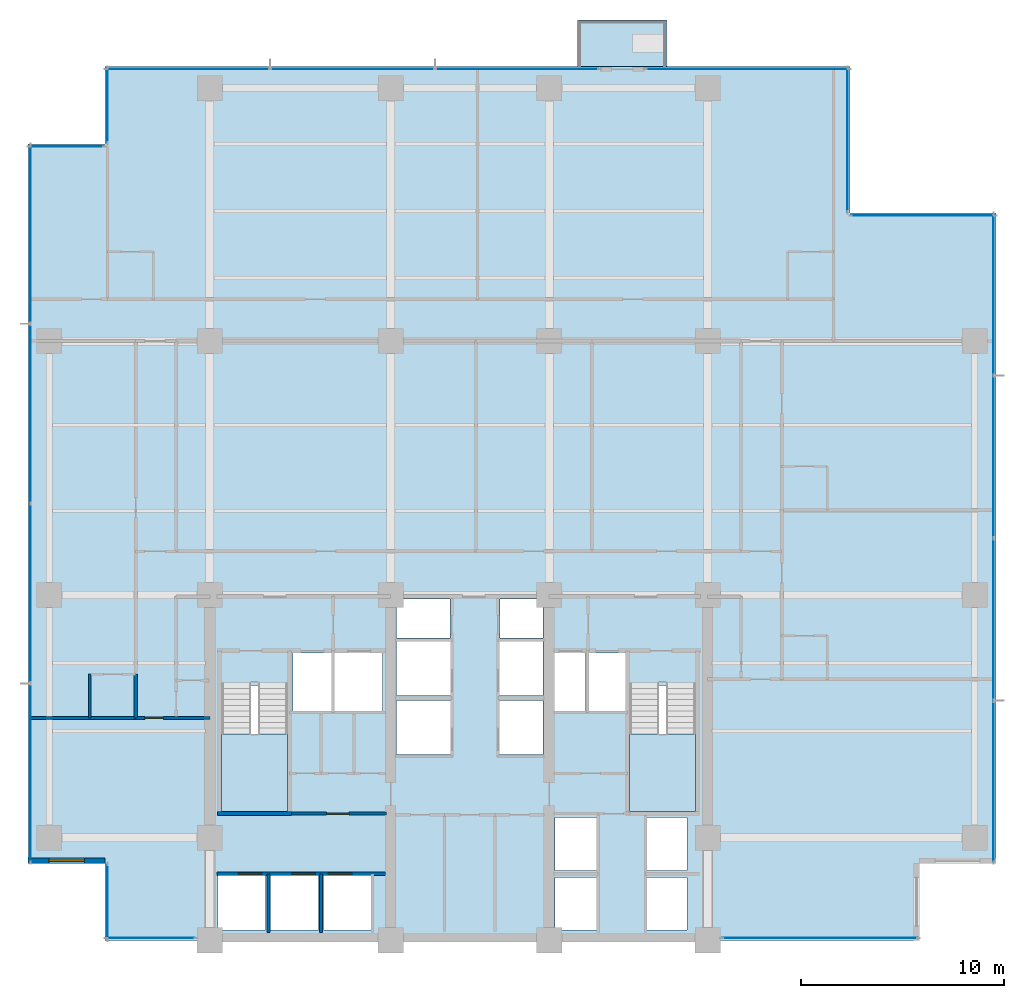
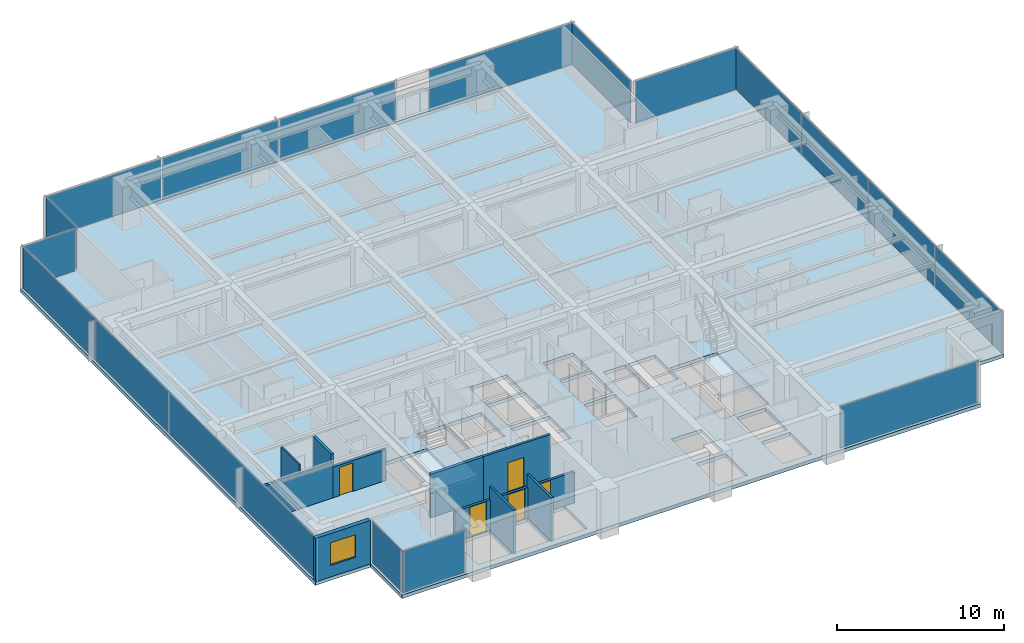
# One storey, part 7 of 16: 19 plates, 10 walls, 5 doors, 4 slabs, 1 window, 6 openings, 13 elements without a shape of their own.
"""IFC4 building model written with IfcOpenShell, lengths in metres."""

from ifc_helpers import new_model, si_unit, direction, frame, frame_2d, origin, origin_2d, place, context, subcontext, project, spatial, polyline, rectangle, outline, extrude, material, layer, layer_set, type_object, element, fill, aggregate, save


model = new_model("IFC4")

# Units and contexts
model_context = context("Model", 3, precision=1e-05, world=origin(), true_north=direction((0.0, 1.0)))
body_context = subcontext(model_context, "Body", "Model", "MODEL_VIEW")
ifc_project = project(units=[si_unit("LENGTHUNIT", "METRE"), si_unit("AREAUNIT", "SQUARE_METRE"), si_unit("VOLUMEUNIT", "CUBIC_METRE"), si_unit("PLANEANGLEUNIT", "RADIAN"), si_unit("MASSUNIT", "GRAM", prefix="KILO")], contexts=[model_context])

# Site, building, storey
site_placement = place(None, origin())
site = spatial("IfcSite", under=ifc_project, at=site_placement, CompositionType="ELEMENT")
building_placement = place(site_placement, origin())
building = spatial("IfcBuilding", under=site, at=building_placement, Name="Qalmaran Belvedere Hotel", CompositionType="ELEMENT")
storey_placement = place(building_placement, frame((0.0, 0.0, 126.699951171875)))
storey = spatial("IfcBuildingStorey", under=building, at=storey_placement, Name="L32", CompositionType="ELEMENT", Elevation=126.699951171875)

# Curtain wall, plate
ifc_material_1 = material(Name="Anodised Bronze Aluminium", Category="aluminium")
ifc_layer_1 = layer(ifc_material_1, 0.199951171875, Name="Anodised Bronze Aluminium")
ifc_layer_set_1 = layer_set([ifc_layer_1], Name="Anodised Bronze Aluminium")
curtain_wall_type = type_object("IfcCurtainWallType", Name="CW3-TOWER-LOWMID", PredefinedType="NOTDEFINED", material=ifc_layer_set_1)
curtain_wall_1_placement = place(storey_placement, origin())
curtain_wall_1 = element("IfcCurtainWall", 1, at=curtain_wall_1_placement, inside=storey, type_object=curtain_wall_type, Name="L32 Curtain Wall CW3", PredefinedType="NOTDEFINED")
ifc_material_2 = material(Name="Solar-Control Double Glazing", Category="glass")
ifc_layer_2 = layer(ifc_material_2, 0.028076171875, Name="Solar-Control Double Glazing")
ifc_layer_set_2 = layer_set([ifc_layer_2], Name="Solar-Control Double Glazing")
plate_type = type_object("IfcPlateType", Name="CWP-VISION-28", PredefinedType="CURTAIN_PANEL", material=ifc_layer_set_2)
plate_1_placement = place(storey_placement, frame((17.392578125, 3.6201171875, 0.06494140625), z_axis=(0.0, 0.0, 1.0), x_axis=(1.0, 0.0, 0.0)))
plate_1 = element("IfcPlate", 2, at=plate_1_placement, type_object=plate_type, Name="CW3 panel 1.1", PredefinedType="CURTAIN_PANEL", context=body_context, shape_type="SweptSolid", body=[
    extrude(rectangle(XDim=4.344970703125, YDim=0.028076171875, at=origin_2d()), origin(), (0.0, 0.0, 1.0), 3.050048828125),
])
aggregate(curtain_wall_1, [plate_1])

curtain_wall_2_placement = place(storey_placement, origin())
curtain_wall_2 = element("IfcCurtainWall", 3, at=curtain_wall_2_placement, inside=storey, type_object=curtain_wall_type, Name="L32 Curtain Wall CW3", PredefinedType="NOTDEFINED")
plate_2_placement = place(storey_placement, frame((50.33251953125, 3.6201171875, 0.06494140625), z_axis=(0.0, 0.0, 1.0), x_axis=(1.0, 0.0, 0.0)))
plate_2 = element("IfcPlate", 4, at=plate_2_placement, type_object=plate_type, Name="CW3 panel 1.1", PredefinedType="CURTAIN_PANEL", context=body_context, shape_type="SweptSolid", body=[
    extrude(rectangle(XDim=9.594970703125, YDim=0.028076171875, at=origin_2d()), origin(), (0.0, 0.0, 1.0), 3.050048828125),
])
aggregate(curtain_wall_2, [plate_2])

# Curtain wall, plates
curtain_wall_3_placement = place(storey_placement, origin())
curtain_wall_3 = element("IfcCurtainWall", 5, at=curtain_wall_3_placement, inside=storey, type_object=curtain_wall_type, Name="L32 Curtain Wall CW3", PredefinedType="NOTDEFINED")
plate_3_placement = place(storey_placement, frame((58.8798828125, 11.3173828125, 0.06494140625), z_axis=(0.0, 0.0, 1.0), x_axis=(0.0, 1.0, 0.0)))
plate_3 = element("IfcPlate", 6, at=plate_3_placement, type_object=plate_type, Name="CW3 panel 1.1", PredefinedType="CURTAIN_PANEL", context=body_context, shape_type="SweptSolid", body=[
    extrude(rectangle(XDim=7.89501953125, YDim=0.028076171875, at=origin_2d()), origin(), (0.0, 0.0, 1.0), 3.050048828125),
])
plate_4_placement = place(storey_placement, frame((58.8798828125, 19.300048828125, 0.06494140625), z_axis=(0.0, 0.0, 1.0), x_axis=(0.0, 1.0, 0.0)))
plate_4 = element("IfcPlate", 7, at=plate_4_placement, type_object=plate_type, Name="CW3 panel 2.1", PredefinedType="CURTAIN_PANEL", context=body_context, shape_type="SweptSolid", body=[
    extrude(rectangle(XDim=7.929931640625, YDim=0.028076171875, at=origin_2d()), origin(), (0.0, 0.0, 1.0), 3.050048828125),
])
plate_5_placement = place(storey_placement, frame((58.8798828125, 27.300048828125, 0.06494140625), z_axis=(0.0, 0.0, 1.0), x_axis=(0.0, 1.0, 0.0)))
plate_5 = element("IfcPlate", 8, at=plate_5_placement, type_object=plate_type, Name="CW3 panel 3.1", PredefinedType="CURTAIN_PANEL", context=body_context, shape_type="SweptSolid", body=[
    extrude(rectangle(XDim=7.929931640625, YDim=0.028076171875, at=origin_2d()), origin(), (0.0, 0.0, 1.0), 3.050048828125),
])
plate_6_placement = place(storey_placement, frame((58.8798828125, 35.282470703125, 0.06494140625), z_axis=(0.0, 0.0, 1.0), x_axis=(0.0, 1.0, 0.0)))
plate_6 = element("IfcPlate", 9, at=plate_6_placement, type_object=plate_type, Name="CW3 panel 4.1", PredefinedType="CURTAIN_PANEL", context=body_context, shape_type="SweptSolid", body=[
    extrude(rectangle(XDim=7.89501953125, YDim=0.028076171875, at=origin_2d()), origin(), (0.0, 0.0, 1.0), 3.050048828125),
])
aggregate(curtain_wall_3, [plate_3, plate_4, plate_5, plate_6])

# Curtain wall, plate
curtain_wall_4_placement = place(storey_placement, origin())
curtain_wall_4 = element("IfcCurtainWall", 10, at=curtain_wall_4_placement, inside=storey, type_object=curtain_wall_type, Name="L32 Curtain Wall CW3", PredefinedType="NOTDEFINED")
plate_7_placement = place(storey_placement, frame((55.39990234375, 39.179931640625, 0.06494140625), z_axis=(0.0, 0.0, 1.0), x_axis=(-1.0, 0.0, 0.0)))
plate_7 = element("IfcPlate", 11, at=plate_7_placement, type_object=plate_type, Name="CW3 panel 1.1", PredefinedType="CURTAIN_PANEL", context=body_context, shape_type="SweptSolid", body=[
    extrude(rectangle(XDim=7.06005859375, YDim=0.028076171875, at=origin_2d()), origin(), (0.0, 0.0, 1.0), 3.050048828125),
])
aggregate(curtain_wall_4, [plate_7])

curtain_wall_5_placement = place(storey_placement, origin())
curtain_wall_5 = element("IfcCurtainWall", 12, at=curtain_wall_5_placement, inside=storey, type_object=curtain_wall_type, Name="L32 Curtain Wall CW3", PredefinedType="NOTDEFINED")
plate_8_placement = place(storey_placement, frame((51.679931640625, 42.89990234375, 0.06494140625), z_axis=(0.0, 0.0, 1.0), x_axis=(0.0, 1.0, 0.0)))
plate_8 = element("IfcPlate", 13, at=plate_8_placement, type_object=plate_type, Name="CW3 panel 1.1", PredefinedType="CURTAIN_PANEL", context=body_context, shape_type="SweptSolid", body=[
    extrude(rectangle(XDim=7.06005859375, YDim=0.028076171875, at=origin_2d()), origin(), (0.0, 0.0, 1.0), 3.050048828125),
])
aggregate(curtain_wall_5, [plate_8])

# Curtain wall, plates
curtain_wall_6_placement = place(storey_placement, origin())
curtain_wall_6 = element("IfcCurtainWall", 14, at=curtain_wall_6_placement, inside=storey, type_object=curtain_wall_type, Name="L32 Curtain Wall CW3", PredefinedType="NOTDEFINED")
plate_9_placement = place(storey_placement, frame((35.424072265625, 46.3798828125, 0.06494140625), z_axis=(0.0, 0.0, 1.0), x_axis=(-1.0, 0.0, 0.0)))
plate_9 = element("IfcPlate", 15, at=plate_9_placement, type_object=plate_type, Name="CW3 panel 1.1", PredefinedType="CURTAIN_PANEL", context=body_context, shape_type="SweptSolid", body=[
    extrude(rectangle(XDim=8.01171875, YDim=0.028076171875, at=origin_2d()), origin(), (0.0, 0.0, 1.0), 3.050048828125),
])
plate_10_placement = place(storey_placement, frame((27.324951171875, 46.3798828125, 0.06494140625), z_axis=(0.0, 0.0, 1.0), x_axis=(-1.0, 0.0, 0.0)))
plate_10 = element("IfcPlate", 16, at=plate_10_placement, type_object=plate_type, Name="CW3 panel 2.1", PredefinedType="CURTAIN_PANEL", context=body_context, shape_type="SweptSolid", body=[
    extrude(rectangle(XDim=8.046630859375, YDim=0.028076171875, at=origin_2d()), origin(), (0.0, 0.0, 1.0), 3.050048828125),
])
plate_11_placement = place(storey_placement, frame((19.225830078125, 46.3798828125, 0.06494140625), z_axis=(0.0, 0.0, 1.0), x_axis=(-1.0, 0.0, 0.0)))
plate_11 = element("IfcPlate", 17, at=plate_11_placement, type_object=plate_type, Name="CW3 panel 3.1", PredefinedType="CURTAIN_PANEL", context=body_context, shape_type="SweptSolid", body=[
    extrude(rectangle(XDim=8.01171875, YDim=0.028076171875, at=origin_2d()), origin(), (0.0, 0.0, 1.0), 3.050048828125),
])
aggregate(curtain_wall_6, [plate_9, plate_10, plate_11])

# Curtain wall, plate
curtain_wall_7_placement = place(storey_placement, origin())
curtain_wall_7 = element("IfcCurtainWall", 18, at=curtain_wall_7_placement, inside=storey, type_object=curtain_wall_type, Name="L32 Curtain Wall CW3", PredefinedType="NOTDEFINED")
plate_12_placement = place(storey_placement, frame((46.75, 46.3798828125, 0.06494140625), z_axis=(0.0, 0.0, 1.0), x_axis=(-1.0, 0.0, 0.0)))
plate_12 = element("IfcPlate", 19, at=plate_12_placement, type_object=plate_type, Name="CW3 panel 1.1", PredefinedType="CURTAIN_PANEL", context=body_context, shape_type="SweptSolid", body=[
    extrude(rectangle(XDim=9.9599609375, YDim=0.028076171875, at=origin_2d()), origin(), (0.0, 0.0, 1.0), 3.050048828125),
])
aggregate(curtain_wall_7, [plate_12])

curtain_wall_8_placement = place(storey_placement, origin())
curtain_wall_8 = element("IfcCurtainWall", 20, at=curtain_wall_8_placement, inside=storey, type_object=curtain_wall_type, Name="L32 Curtain Wall CW3", PredefinedType="NOTDEFINED")
plate_13_placement = place(storey_placement, frame((15.27001953125, 44.60009765625, 0.06494140625), z_axis=(0.0, 0.0, 1.0), x_axis=(0.0, -1.0, 0.0)))
plate_13 = element("IfcPlate", 21, at=plate_13_placement, type_object=plate_type, Name="CW3 panel 1.1", PredefinedType="CURTAIN_PANEL", context=body_context, shape_type="SweptSolid", body=[
    extrude(rectangle(XDim=3.659912109375, YDim=0.028076171875, at=origin_2d()), origin(), (0.0, 0.0, 1.0), 3.050048828125),
])
aggregate(curtain_wall_8, [plate_13])

curtain_wall_9_placement = place(storey_placement, origin())
curtain_wall_9 = element("IfcCurtainWall", 22, at=curtain_wall_9_placement, inside=storey, type_object=curtain_wall_type, Name="L32 Curtain Wall CW3", PredefinedType="NOTDEFINED")
plate_14_placement = place(storey_placement, frame((13.25, 42.580078125, 0.06494140625), z_axis=(0.0, 0.0, 1.0), x_axis=(-1.0, 0.0, 0.0)))
plate_14 = element("IfcPlate", 23, at=plate_14_placement, type_object=plate_type, Name="CW3 panel 1.1", PredefinedType="CURTAIN_PANEL", context=body_context, shape_type="SweptSolid", body=[
    extrude(rectangle(XDim=3.659912109375, YDim=0.028076171875, at=origin_2d()), origin(), (0.0, 0.0, 1.0), 3.050048828125),
])
aggregate(curtain_wall_9, [plate_14])

# Curtain wall, plates
curtain_wall_10_placement = place(storey_placement, origin())
curtain_wall_10 = element("IfcCurtainWall", 24, at=curtain_wall_10_placement, inside=storey, type_object=curtain_wall_type, Name="L32 Curtain Wall CW3", PredefinedType="NOTDEFINED")
plate_15_placement = place(storey_placement, frame((11.469970703125, 38.257568359375, 0.06494140625), z_axis=(0.0, 0.0, 1.0), x_axis=(0.0, -1.0, 0.0)))
plate_15 = element("IfcPlate", 25, at=plate_15_placement, type_object=plate_type, Name="CW3 panel 1.1", PredefinedType="CURTAIN_PANEL", context=body_context, shape_type="SweptSolid", body=[
    extrude(rectangle(XDim=8.7451171875, YDim=0.028076171875, at=origin_2d()), origin(), (0.0, 0.0, 1.0), 3.050048828125),
])
plate_16_placement = place(storey_placement, frame((11.469970703125, 29.425048828125, 0.06494140625), z_axis=(0.0, 0.0, 1.0), x_axis=(0.0, -1.0, 0.0)))
plate_16 = element("IfcPlate", 26, at=plate_16_placement, type_object=plate_type, Name="CW3 panel 2.1", PredefinedType="CURTAIN_PANEL", context=body_context, shape_type="SweptSolid", body=[
    extrude(rectangle(XDim=8.780029296875, YDim=0.028076171875, at=origin_2d()), origin(), (0.0, 0.0, 1.0), 3.050048828125),
])
plate_17_placement = place(storey_placement, frame((11.469970703125, 20.574951171875, 0.06494140625), z_axis=(0.0, 0.0, 1.0), x_axis=(0.0, -1.0, 0.0)))
plate_17 = element("IfcPlate", 27, at=plate_17_placement, type_object=plate_type, Name="CW3 panel 3.1", PredefinedType="CURTAIN_PANEL", context=body_context, shape_type="SweptSolid", body=[
    extrude(rectangle(XDim=8.780029296875, YDim=0.028076171875, at=origin_2d()), origin(), (0.0, 0.0, 1.0), 3.050048828125),
])
plate_18_placement = place(storey_placement, frame((11.469970703125, 11.742431640625, 0.06494140625), z_axis=(0.0, 0.0, 1.0), x_axis=(0.0, -1.0, 0.0)))
plate_18 = element("IfcPlate", 28, at=plate_18_placement, type_object=plate_type, Name="CW3 panel 4.1", PredefinedType="CURTAIN_PANEL", context=body_context, shape_type="SweptSolid", body=[
    extrude(rectangle(XDim=8.7451171875, YDim=0.028076171875, at=origin_2d()), origin(), (0.0, 0.0, 1.0), 3.050048828125),
])
aggregate(curtain_wall_10, [plate_15, plate_16, plate_17, plate_18])

# Curtain wall, plate
curtain_wall_11_placement = place(storey_placement, origin())
curtain_wall_11 = element("IfcCurtainWall", 29, at=curtain_wall_11_placement, inside=storey, type_object=curtain_wall_type, Name="L32 Curtain Wall CW3", PredefinedType="NOTDEFINED")
plate_19_placement = place(storey_placement, frame((15.27001953125, 5.39990234375, 0.06494140625), z_axis=(0.0, 0.0, 1.0), x_axis=(0.0, -1.0, 0.0)))
plate_19 = element("IfcPlate", 30, at=plate_19_placement, type_object=plate_type, Name="CW3 panel 1.1", PredefinedType="CURTAIN_PANEL", context=body_context, shape_type="SweptSolid", body=[
    extrude(rectangle(XDim=3.659912109375, YDim=0.028076171875, at=origin_2d()), origin(), (0.0, 0.0, 1.0), 3.050048828125),
])
aggregate(curtain_wall_11, [plate_19])

# Slab
ifc_material_3 = material(Name="Concrete C40/50", Category="concrete")
ifc_layer_3 = layer(ifc_material_3, 0.219970703125, Name="Concrete C40/50")
ifc_layer_set_3 = layer_set([ifc_layer_3], Name="Concrete C40/50")
slab_type_1 = type_object("IfcSlabType", Name="SLB-BAL-220", PredefinedType="USERDEFINED", material=ifc_layer_set_3)
slab_1_placement = place(storey_placement, frame((0.0, 0.0, -0.219970703125)))
element("IfcSlab", 31, at=slab_1_placement, inside=storey, type_object=slab_type_1, Name="L32 Planted Tree Balcony Slab 1", ObjectType="BALCONY", PredefinedType="USERDEFINED", context=body_context, shape_type="SweptSolid", body=[
    extrude(outline(polyline([(38.39990234375, 46.5), (42.800048828125, 46.5), (42.800048828125, 48.800048828125), (38.39990234375, 48.800048828125), (38.39990234375, 46.5)])), origin(), (0.0, 0.0, 1.0), 0.219970703125),
])

# Stair, slab
stair_type_1 = type_object("IfcStairType", Name="STR-ST-1-1450-R1750", PredefinedType="HALF_TURN_STAIR", material=ifc_material_3)
stair_1_placement = place(storey_placement, origin())
stair_1 = element("IfcStair", 32, at=stair_1_placement, inside=storey, type_object=stair_type_1, Name="L32 West Core Exit Stair ST-1", PredefinedType="HALF_TURN_STAIR")
ifc_layer_4 = layer(ifc_material_3, 0.199951171875, Name="Concrete C40/50")
ifc_layer_set_4 = layer_set([ifc_layer_4], Name="Concrete C40/50")
slab_type_2 = type_object("IfcSlabType", Name="SLB-STAIR-LANDING-200", PredefinedType="LANDING", material=ifc_layer_set_4)
slab_2_placement = place(storey_placement, frame((0.0, 0.0, 1.550048828125)))
slab_2 = element("IfcSlab", 33, at=slab_2_placement, type_object=slab_type_2, Name="ST-1 landing 1", PredefinedType="LANDING", context=body_context, shape_type="SweptSolid", body=[
    extrude(outline(polyline([(20.8798828125, 13.669921875), (20.8798828125, 9.85009765625), (24.1201171875, 9.85009765625), (24.1201171875, 13.669921875), (20.8798828125, 13.669921875)])), origin(), (0.0, 0.0, 1.0), 0.199951171875),
])
aggregate(stair_1, [slab_2])

stair_type_2 = type_object("IfcStairType", Name="STR-ST-2-1450-R1750", PredefinedType="HALF_TURN_STAIR", material=ifc_material_3)
stair_2_placement = place(storey_placement, origin())
stair_2 = element("IfcStair", 34, at=stair_2_placement, inside=storey, type_object=stair_type_2, Name="L32 East Core Exit Stair ST-2", PredefinedType="HALF_TURN_STAIR")
slab_3_placement = place(storey_placement, frame((0.0, 0.0, 1.550048828125)))
slab_3 = element("IfcSlab", 35, at=slab_3_placement, type_object=slab_type_2, Name="ST-2 landing 1", PredefinedType="LANDING", context=body_context, shape_type="SweptSolid", body=[
    extrude(outline(polyline([(40.9599609375, 13.669921875), (40.9599609375, 9.85009765625), (44.199951171875, 9.85009765625), (44.199951171875, 13.669921875), (40.9599609375, 13.669921875)])), origin(), (0.0, 0.0, 1.0), 0.199951171875),
])
aggregate(stair_2, [slab_3])

# Slab
ifc_layer_5 = layer(ifc_material_3, 0.260009765625, Name="Concrete C40/50")
ifc_layer_set_5 = layer_set([ifc_layer_5], Name="Concrete C40/50")
slab_type_3 = type_object("IfcSlabType", Name="SLB-Z2-260", PredefinedType="FLOOR", material=ifc_layer_set_5)
slab_4_placement = place(storey_placement, frame((0.0, 0.0, -0.260009765625)))
element("IfcSlab", 36, at=slab_4_placement, inside=storey, type_object=slab_type_3, Name="L32 Structural Floor Slab", PredefinedType="FLOOR", context=body_context, shape_type="SweptSolid", body=[
    extrude(outline(polyline([(15.14990234375, 3.5), (55.199951171875, 3.5), (55.199951171875, 7.300048828125), (59.0, 7.300048828125), (59.0, 39.300048828125), (51.800048828125, 39.300048828125), (51.800048828125, 46.5), (15.14990234375, 46.5), (15.14990234375, 42.699951171875), (11.35009765625, 42.699951171875), (11.35009765625, 7.300048828125), (15.14990234375, 7.300048828125), (15.14990234375, 3.5)]), holes=[polyline([(20.8798828125, 9.85009765625), (24.1201171875, 9.85009765625), (24.1201171875, 16.0400390625), (20.8798828125, 16.0400390625), (20.8798828125, 9.85009765625)]), polyline([(40.9599609375, 9.85009765625), (44.199951171875, 9.85009765625), (44.199951171875, 16.0400390625), (40.9599609375, 16.0400390625), (40.9599609375, 9.85009765625)]), polyline([(29.4951171875, 12.64990234375), (32.14990234375, 12.64990234375), (32.14990234375, 15.300048828125), (29.4951171875, 15.300048828125), (29.4951171875, 12.64990234375)]), polyline([(29.4951171875, 15.550048828125), (32.14990234375, 15.550048828125), (32.14990234375, 18.199951171875), (29.4951171875, 18.199951171875), (29.4951171875, 15.550048828125)]), polyline([(34.550048828125, 12.64990234375), (36.705078125, 12.64990234375), (36.705078125, 15.300048828125), (34.550048828125, 15.300048828125), (34.550048828125, 12.64990234375)]), polyline([(34.550048828125, 15.550048828125), (36.705078125, 15.550048828125), (36.705078125, 18.199951171875), (34.550048828125, 18.199951171875), (34.550048828125, 15.550048828125)]), polyline([(37.300048828125, 4.0), (39.35009765625, 4.0), (39.35009765625, 6.60009765625), (37.300048828125, 6.60009765625), (37.300048828125, 4.0)]), polyline([(37.300048828125, 6.949951171875), (39.35009765625, 6.949951171875), (39.35009765625, 9.550048828125), (37.300048828125, 9.550048828125), (37.300048828125, 6.949951171875)]), polyline([(41.800048828125, 4.0), (43.800048828125, 4.0), (43.800048828125, 6.60009765625), (41.800048828125, 6.60009765625), (41.800048828125, 4.0)]), polyline([(41.800048828125, 6.949951171875), (43.800048828125, 6.949951171875), (43.800048828125, 9.550048828125), (41.800048828125, 9.550048828125), (41.800048828125, 6.949951171875)]), polyline([(20.699951171875, 4.0), (23.050048828125, 4.0), (23.050048828125, 6.699951171875), (20.699951171875, 6.699951171875), (20.699951171875, 4.0)]), polyline([(23.300048828125, 4.0), (25.64990234375, 4.0), (25.64990234375, 6.699951171875), (23.300048828125, 6.699951171875), (23.300048828125, 4.0)]), polyline([(25.89990234375, 4.0), (28.25, 4.0), (28.25, 6.699951171875), (25.89990234375, 6.699951171875), (25.89990234375, 4.0)]), polyline([(24.39990234375, 14.800048828125), (26.300048828125, 14.800048828125), (26.300048828125, 17.64990234375), (24.39990234375, 17.64990234375), (24.39990234375, 14.800048828125)]), polyline([(38.949951171875, 14.800048828125), (40.820068359375, 14.800048828125), (40.820068359375, 17.64990234375), (38.949951171875, 17.64990234375), (38.949951171875, 14.800048828125)]), polyline([(26.449951171875, 14.800048828125), (28.800048828125, 14.800048828125), (28.800048828125, 17.64990234375), (26.449951171875, 17.64990234375), (26.449951171875, 14.800048828125)]), polyline([(37.25, 14.800048828125), (38.800048828125, 14.800048828125), (38.800048828125, 17.64990234375), (37.25, 17.64990234375), (37.25, 14.800048828125)]), polyline([(29.4951171875, 18.3798828125), (32.1201171875, 18.3798828125), (32.1201171875, 20.300048828125), (29.4951171875, 20.300048828125), (29.4951171875, 18.3798828125)]), polyline([(34.580078125, 18.3798828125), (36.705078125, 18.3798828125), (36.705078125, 20.300048828125), (34.580078125, 20.300048828125), (34.580078125, 18.3798828125)])]), origin(), (0.0, 0.0, 1.0), 0.260009765625),
])

# Wall, opening, window
ifc_material_4 = material(Name="Anodised Bronze Cladding")
ifc_layer_6 = layer(ifc_material_4, 0.280029296875, Name="Anodised Bronze Cladding")
ifc_layer_set_6 = layer_set([ifc_layer_6], Name="Anodised Bronze Cladding")
wall_type_1 = type_object("IfcWallType", Name="WL-EXT-BRNZ-280", PredefinedType="SOLIDWALL", material=ifc_layer_set_6)
wall_1_placement = place(storey_placement, frame((11.35009765625, 7.419921875, 0.0), z_axis=(0.0, 0.0, 1.0), x_axis=(1.0, 0.0, 0.0)))
wall_1 = element("IfcWall", 37, at=wall_1_placement, inside=storey, type_object=wall_type_1, Name="L32 Corner Notch Wall 10", PredefinedType="SOLIDWALL", context=body_context, shape_type="SweptSolid", body=[
    extrude(rectangle(XDim=3.7998046875, YDim=0.280029296875, at=frame_2d((1.89990234375, 0.0))), origin(), (0.0, 0.0, 1.0), 3.179931640625),
])
opening_1_placement = place(wall_1_placement, frame((1.02490234375, 0.0, 0.85009765625)))
opening_1 = element("IfcOpeningElement", 38, at=opening_1_placement, cuts=wall_1, Name="Opening W-N17", PredefinedType="OPENING", context=body_context, shape_type="SweptSolid", body=[
    extrude(rectangle(XDim=1.75, YDim=1.64990234375, at=frame_2d((0.875, 0.824951171875))), frame((0.0, 0.14990234375, 0.0), z_axis=(0.0, -1.0, 0.0), x_axis=(1.0, 0.0, 0.0)), (0.0, 0.0, 1.0), 0.300048828125),
])
window_type = type_object("IfcWindowType", Name="WN-NTC-1750X1650", PartitioningType="SINGLE_PANEL", PredefinedType="WINDOW", material=ifc_material_2)
window_placement = place(opening_1_placement, origin())
window = element("IfcWindow", 39, at=window_placement, inside=storey, type_object=window_type, Name="L32 Corner Notch Window 10", OverallHeight=1.64990234375, OverallWidth=1.75, PartitioningType="SINGLE_PANEL", PredefinedType="WINDOW", context=body_context, shape_type="SweptSolid", body=[
    extrude(rectangle(XDim=1.75, YDim=1.64990234375, at=frame_2d((0.875, 0.824951171875))), frame((0.0, 0.030029296875, 0.0), z_axis=(0.0, -1.0, 0.0), x_axis=(1.0, 0.0, 0.0)), (0.0, 0.0, 1.0), 0.06005859375),
])
fill(opening_1, window)

# Walls
ifc_material_5 = material(Name="Moisture-Resistant Gypsum")
ifc_layer_7 = layer(ifc_material_5, 0.1201171875, Name="Moisture-Resistant Gypsum")
ifc_layer_set_7 = layer_set([ifc_layer_7], Name="Moisture-Resistant Gypsum")
wall_type_2 = type_object("IfcWallType", Name="WL-INT-120-BATH", PredefinedType="PARTITIONING", material=ifc_layer_set_7)
wall_2_placement = place(storey_placement, frame((14.39990234375, 14.449951171875, 0.0), z_axis=(0.0, 0.0, 1.0), x_axis=(0.0, 1.0, 0.0)))
element("IfcWall", 40, at=wall_2_placement, inside=storey, type_object=wall_type_2, Name="L32 Partition WL-L32-WBS00", PredefinedType="PARTITIONING", context=body_context, shape_type="SweptSolid", body=[
    extrude(rectangle(XDim=2.150146484375, YDim=0.1201171875, at=frame_2d((1.0751953125, 0.0))), origin(), (0.0, 0.0, 1.0), 3.179931640625),
])
ifc_material_6 = material(Name="Gypsum Stud Partition")
ifc_layer_8 = layer(ifc_material_6, 0.14990234375, Name="Gypsum Stud Partition")
ifc_layer_set_8 = layer_set([ifc_layer_8], Name="Gypsum Stud Partition")
wall_type_3 = type_object("IfcWallType", Name="WL-INT-150-EI120", PredefinedType="PARTITIONING", material=ifc_layer_set_8)
for number, where, z_axis, x_axis, name in (
    (41, (23.179931640625, 3.89990234375, 0.0), (0.0, 0.0, 1.0), (0.0, 1.0, 0.0), "L32 Partition WL-POM1-L32"),
    (42, (25.780029296875, 3.89990234375, 0.0), (0.0, 0.0, 1.0), (0.0, 1.0, 0.0), "L32 Partition WL-POM2-L32"),
):
    element("IfcWall", number, at=place(storey_placement, frame(where, z_axis=z_axis, x_axis=x_axis)), inside=storey, type_object=wall_type_3, Name=name, PredefinedType="PARTITIONING", context=body_context, shape_type="SweptSolid", body=[
        extrude(rectangle(XDim=2.880126953125, YDim=0.14990234375, at=frame_2d((1.43994140625, 0.0))), origin(), (0.0, 0.0, 1.0), 3.179931640625),
    ])

# Wall, openings, doors
ifc_layer_9 = layer(ifc_material_6, 0.159912109375, Name="Gypsum Stud Partition")
ifc_layer_set_9 = layer_set([ifc_layer_9], Name="Gypsum Stud Partition")
wall_type_4 = type_object("IfcWallType", Name="WL-INT-160-EI120", PredefinedType="PARTITIONING", material=ifc_layer_set_9)
wall_3_placement = place(storey_placement, frame((20.64990234375, 6.780029296875, 0.0), z_axis=(0.0, 0.0, 1.0), x_axis=(1.0, 0.0, 0.0)))
wall_3 = element("IfcWall", 43, at=wall_3_placement, inside=storey, type_object=wall_type_4, Name="L32 Partition WL-POS-L32", PredefinedType="PARTITIONING", context=body_context, shape_type="SweptSolid", body=[
    extrude(rectangle(XDim=8.300048828125, YDim=0.159912109375, at=frame_2d((4.14990234375, 0.0))), origin(), (0.0, 0.0, 1.0), 2.2529296875),
])
opening_2_placement = place(wall_3_placement, frame((3.69482421875, 0.0, 0.0)))
opening_2 = element("IfcOpeningElement", 44, at=opening_2_placement, cuts=wall_3, Name="Opening LD-PO", PredefinedType="OPENING", context=body_context, shape_type="SweptSolid", body=[
    extrude(rectangle(XDim=1.14990234375, YDim=2.199951171875, at=frame_2d((0.574951171875, 1.10009765625))), frame((0.0, 0.08984375, 0.0), z_axis=(0.0, -1.0, 0.0), x_axis=(1.0, 0.0, 0.0)), (0.0, 0.0, 1.0), 0.179931640625),
])
opening_3_placement = place(wall_3_placement, frame((5.4921875, 0.0, 0.0)))
opening_3 = element("IfcOpeningElement", 45, at=opening_3_placement, cuts=wall_3, Name="Opening LD-PO", PredefinedType="OPENING", context=body_context, shape_type="SweptSolid", body=[
    extrude(rectangle(XDim=1.14990234375, YDim=2.199951171875, at=frame_2d((0.574951171875, 1.10009765625))), frame((0.0, 0.08984375, 0.0), z_axis=(0.0, -1.0, 0.0), x_axis=(1.0, 0.0, 0.0)), (0.0, 0.0, 1.0), 0.179931640625),
])
opening_4_placement = place(wall_3_placement, frame((1.058837890625, 0.0, 0.0)))
opening_4 = element("IfcOpeningElement", 46, at=opening_4_placement, cuts=wall_3, Name="Opening LD-PO", PredefinedType="OPENING", context=body_context, shape_type="SweptSolid", body=[
    extrude(rectangle(XDim=1.14990234375, YDim=2.199951171875, at=frame_2d((0.574951171875, 1.10009765625))), frame((0.0, 0.08984375, 0.0), z_axis=(0.0, -1.0, 0.0), x_axis=(1.0, 0.0, 0.0)), (0.0, 0.0, 1.0), 0.179931640625),
])
door_type_1 = type_object("IfcDoorType", Name="DR-LIFT-PO-1150X2200", OperationType="DOUBLE_DOOR_SLIDING", PredefinedType="DOOR", material=ifc_material_1)
door_1_placement = place(opening_2_placement, origin())
door_1 = element("IfcDoor", 47, at=door_1_placement, inside=storey, type_object=door_type_1, Name="L32 PO1 Shuttle Landing Door", OperationType="DOUBLE_DOOR_SLIDING", OverallHeight=2.199951171875, OverallWidth=1.14990234375, PredefinedType="DOOR", context=body_context, shape_type="SweptSolid", body=[
    extrude(rectangle(XDim=1.14990234375, YDim=2.199951171875, at=frame_2d((0.574951171875, 1.10009765625))), frame((0.0, 0.02490234375, 0.0), z_axis=(0.0, -1.0, 0.0), x_axis=(1.0, 0.0, 0.0)), (0.0, 0.0, 1.0), 0.050048828125),
])
fill(opening_2, door_1)
door_2_placement = place(opening_3_placement, origin())
door_2 = element("IfcDoor", 48, at=door_2_placement, inside=storey, type_object=door_type_1, Name="L32 PO2 Shuttle Landing Door", OperationType="DOUBLE_DOOR_SLIDING", OverallHeight=2.199951171875, OverallWidth=1.14990234375, PredefinedType="DOOR", context=body_context, shape_type="SweptSolid", body=[
    extrude(rectangle(XDim=1.14990234375, YDim=2.199951171875, at=frame_2d((0.574951171875, 1.10009765625))), frame((0.0, 0.02490234375, 0.0), z_axis=(0.0, -1.0, 0.0), x_axis=(1.0, 0.0, 0.0)), (0.0, 0.0, 1.0), 0.050048828125),
])
fill(opening_3, door_2)
door_3_placement = place(opening_4_placement, origin())
door_3 = element("IfcDoor", 49, at=door_3_placement, inside=storey, type_object=door_type_1, Name="L32 PO3 Shuttle Landing Door", OperationType="DOUBLE_DOOR_SLIDING", OverallHeight=2.199951171875, OverallWidth=1.14990234375, PredefinedType="DOOR", context=body_context, shape_type="SweptSolid", body=[
    extrude(rectangle(XDim=1.14990234375, YDim=2.199951171875, at=frame_2d((0.574951171875, 1.10009765625))), frame((0.0, 0.02490234375, 0.0), z_axis=(0.0, -1.0, 0.0), x_axis=(1.0, 0.0, 0.0)), (0.0, 0.0, 1.0), 0.050048828125),
])
fill(opening_4, door_3)

# Wall, opening, door
wall_4_placement = place(storey_placement, frame((24.199951171875, 9.739990234375, 0.0), z_axis=(0.0, 0.0, 1.0), x_axis=(1.0, 0.0, 0.0)))
wall_4 = element("IfcWall", 50, at=wall_4_placement, inside=storey, type_object=wall_type_4, Name="L32 Partition WL-PON-L32", PredefinedType="PARTITIONING", context=body_context, shape_type="SweptSolid", body=[
    extrude(rectangle(XDim=4.800048828125, YDim=0.159912109375, at=frame_2d((2.39990234375, 0.0))), origin(), (0.0, 0.0, 1.0), 3.179931640625),
])
opening_5_placement = place(wall_4_placement, frame((1.85009765625, 0.0, 0.0)))
opening_5 = element("IfcOpeningElement", 51, at=opening_5_placement, cuts=wall_4, Name="Opening FD90", PredefinedType="OPENING", context=body_context, shape_type="SweptSolid", body=[
    extrude(rectangle(XDim=1.10009765625, YDim=2.14990234375, at=frame_2d((0.550048828125, 1.074951171875))), frame((0.0, 0.08984375, 0.0), z_axis=(0.0, -1.0, 0.0), x_axis=(1.0, 0.0, 0.0)), (0.0, 0.0, 1.0), 0.179931640625),
])
ifc_material_7 = material(Name="Steel S355JR", Category="steel")
door_type_2 = type_object("IfcDoorType", Name="DR-FD90-1100X2150", OperationType="NOTDEFINED", PredefinedType="DOOR", material=ifc_material_7)
door_4_placement = place(opening_5_placement, origin())
door_4 = element("IfcDoor", 52, at=door_4_placement, inside=storey, type_object=door_type_2, Name="L32 Shuttle Lobby Passage Door", OperationType="SINGLE_SWING_RIGHT", OverallHeight=2.14990234375, OverallWidth=1.10009765625, PredefinedType="DOOR", context=body_context, shape_type="SweptSolid", body=[
    extrude(rectangle(XDim=1.10009765625, YDim=2.14990234375, at=frame_2d((0.550048828125, 1.074951171875))), frame((0.0, 0.02490234375, 0.0), z_axis=(0.0, -1.0, 0.0), x_axis=(1.0, 0.0, 0.0)), (0.0, 0.0, 1.0), 0.050048828125),
])
fill(opening_5, door_4)

ifc_layer_10 = layer(ifc_material_6, 0.159912109375, Name="Gypsum Stud Partition")
ifc_layer_set_10 = layer_set([ifc_layer_10], Name="Gypsum Stud Partition")
wall_type_5 = type_object("IfcWallType", Name="WL-INT-160-EI60", PredefinedType="PARTITIONING", material=ifc_layer_set_10)
wall_5_placement = place(storey_placement, frame((16.64990234375, 14.449951171875, 0.0), z_axis=(0.0, 0.0, 1.0), x_axis=(1.0, 0.0, 0.0)))
wall_5 = element("IfcWall", 53, at=wall_5_placement, inside=storey, type_object=wall_type_5, Name="L32 Partition WL-L32-SWRL", PredefinedType="PARTITIONING", context=body_context, shape_type="SweptSolid", body=[
    extrude(rectangle(XDim=3.650146484375, YDim=0.159912109375, at=frame_2d((1.8251953125, 0.0))), origin(), (0.0, 0.0, 1.0), 2.2529296875),
])
opening_6_placement = place(wall_5_placement, frame((1.369873046875, 0.0, 0.0), z_axis=(0.0, 0.0, 1.0), x_axis=(-1.0, 0.0, 0.0)))
opening_6 = element("IfcOpeningElement", 54, at=opening_6_placement, cuts=wall_5, Name="Opening FD60S1", PredefinedType="OPENING", context=body_context, shape_type="SweptSolid", body=[
    extrude(rectangle(XDim=0.919921875, YDim=2.080078125, at=frame_2d((0.4599609375, 1.0400390625))), frame((0.0, 0.08984375, 0.0), z_axis=(0.0, -1.0, 0.0), x_axis=(1.0, 0.0, 0.0)), (0.0, 0.0, 1.0), 0.179931640625),
])
ifc_material_8 = material(Name="Engineered Oak Veneer")
door_type_3 = type_object("IfcDoorType", Name="DR-FD60S-920X2080", OperationType="NOTDEFINED", PredefinedType="DOOR", material=ifc_material_8)
door_5_placement = place(opening_6_placement, origin())
door_5 = element("IfcDoor", 55, at=door_5_placement, inside=storey, type_object=door_type_3, Name="L32 SW Lounge Door", OperationType="SINGLE_SWING_LEFT", OverallHeight=2.080078125, OverallWidth=0.919921875, PredefinedType="DOOR", context=body_context, shape_type="SweptSolid", body=[
    extrude(rectangle(XDim=0.919921875, YDim=2.080078125, at=frame_2d((0.4599609375, 1.0400390625))), frame((0.0, 0.02490234375, 0.0), z_axis=(0.0, -1.0, 0.0), x_axis=(1.0, 0.0, 0.0)), (0.0, 0.0, 1.0), 0.050048828125),
])
fill(opening_6, door_5)

# Walls
wall_6_placement = place(storey_placement, frame((11.469970703125, 14.449951171875, 0.0), z_axis=(0.0, 0.0, 1.0), x_axis=(1.0, 0.0, 0.0)))
element("IfcWall", 56, at=wall_6_placement, inside=storey, type_object=wall_type_5, Name="L32 Partition WL-L32-WBOT", PredefinedType="PARTITIONING", context=body_context, shape_type="SweptSolid", body=[
    extrude(rectangle(XDim=5.179931640625, YDim=0.159912109375, at=frame_2d((2.58984375, 0.0))), origin(), (0.0, 0.0, 1.0), 2.54296875),
])
ifc_layer_11 = layer(ifc_material_6, 0.179931640625, Name="Gypsum Stud Partition")
ifc_layer_set_11 = layer_set([ifc_layer_11], Name="Gypsum Stud Partition")
wall_type_6 = type_object("IfcWallType", Name="WL-INT-180-EI60", PredefinedType="PARTITIONING", material=ifc_layer_set_11)
wall_7_placement = place(storey_placement, frame((16.64990234375, 14.449951171875, 0.0), z_axis=(0.0, 0.0, 1.0), x_axis=(0.0, 1.0, 0.0)))
element("IfcWall", 57, at=wall_7_placement, inside=storey, type_object=wall_type_6, Name="L32 Partition WL-L32-WBC00", PredefinedType="PARTITIONING", context=body_context, shape_type="SweptSolid", body=[
    extrude(rectangle(XDim=2.150146484375, YDim=0.179931640625, at=frame_2d((1.0751953125, 0.0))), origin(), (0.0, 0.0, 1.0), 3.179931640625),
])
ifc_material_9 = material(Name="Concrete C50/60", Category="concrete")
ifc_layer_12 = layer(ifc_material_9, 0.2099609375, Name="Concrete C50/60")
ifc_layer_set_12 = layer_set([ifc_layer_12], Name="Concrete C50/60")
wall_type_7 = type_object("IfcWallType", Name="WL-STAIR-210-C50", PredefinedType="SHEAR", material=ifc_layer_set_12)
wall_8_placement = place(storey_placement, frame((20.669921875, 9.7451171875, 0.0), z_axis=(0.0, 0.0, 1.0), x_axis=(1.0, 0.0, 0.0)))
element("IfcWall", 58, at=wall_8_placement, inside=storey, type_object=wall_type_7, Name="L32 Stair ST-1 South Bearing Wall", PredefinedType="SHEAR", context=body_context, shape_type="SweptSolid", body=[
    extrude(rectangle(XDim=3.66015625, YDim=0.2099609375, at=frame_2d((1.830078125, 0.0))), origin(), (0.0, 0.0, 1.0), 3.179931640625),
])

save(model, "model.ifc")
